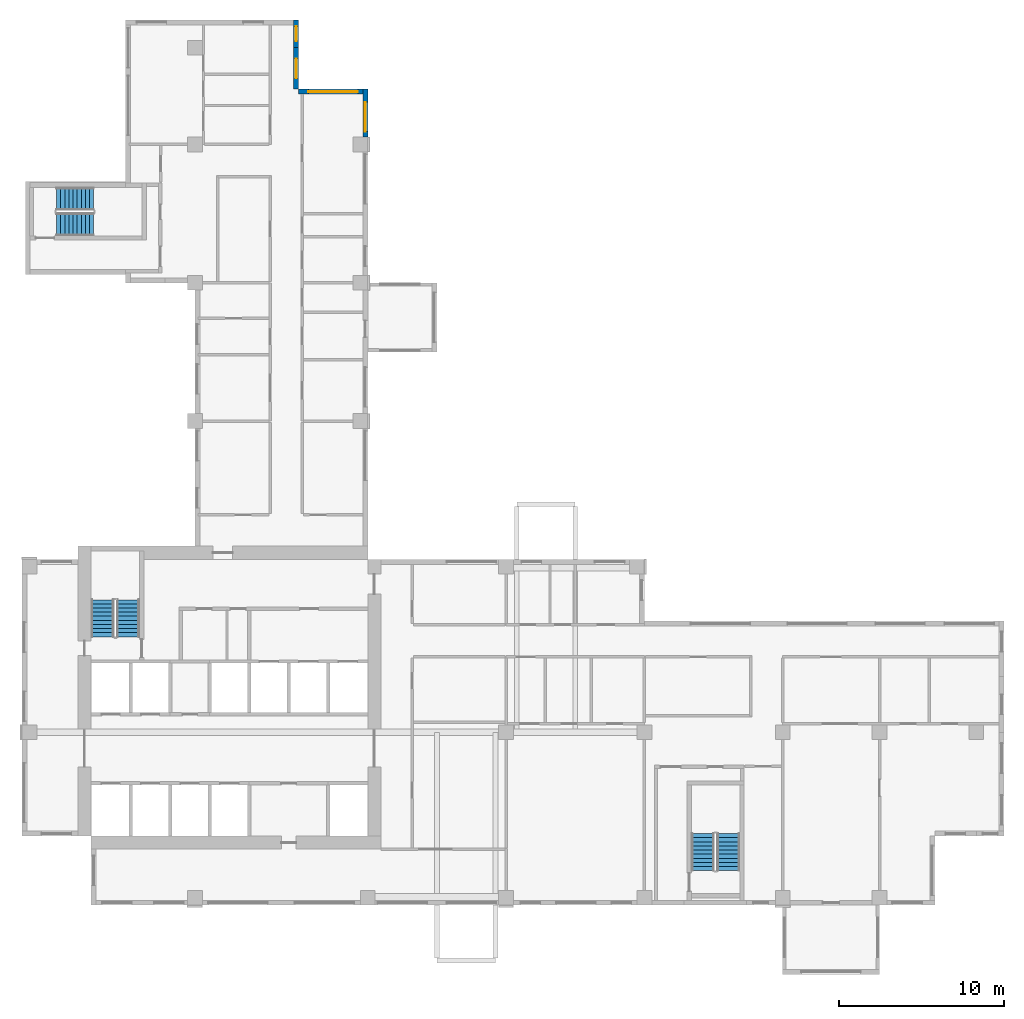
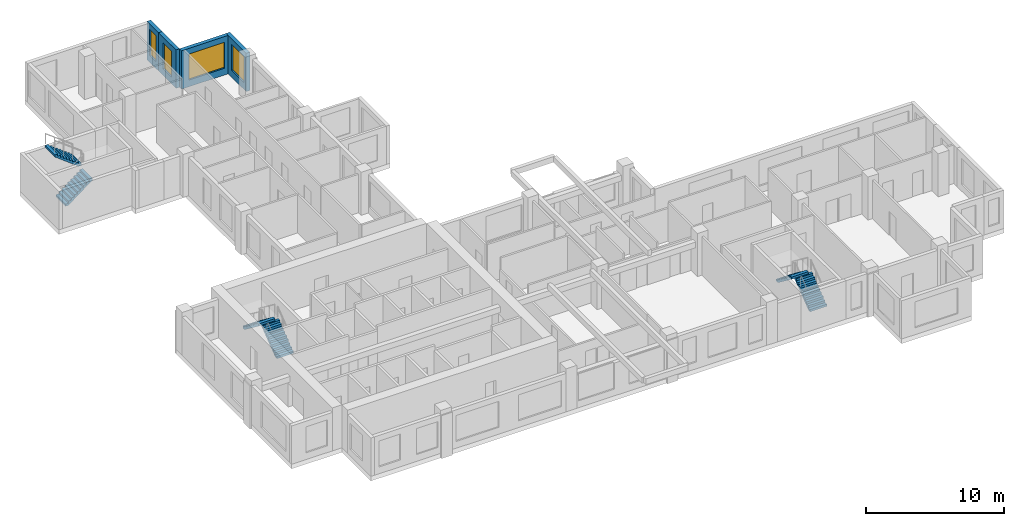
# One storey, part 8 of 12: 6 stair flights, 4 walls, 4 windows, 4 openings, 3 elements without a shape of their own.
"""IFC4 building model written with IfcOpenShell, lengths in metres."""

from ifc_helpers import new_model, si_unit, direction, frame, frame_2d, origin, place, context, subcontext, project, spatial, polyline, rectangle, outline, extrude, source, transform, mapped, material, layer, layer_set, type_object, element, fill, aggregate, save


model = new_model("IFC4")

# Units and contexts
model_context = context("Model", 3, precision=1e-05, world=origin(), true_north=direction((0.0, 1.0)))
body_context = subcontext(model_context, "Body", "Model", "MODEL_VIEW")
ifc_project = project(units=[si_unit("LENGTHUNIT", "METRE"), si_unit("AREAUNIT", "SQUARE_METRE"), si_unit("VOLUMEUNIT", "CUBIC_METRE"), si_unit("PLANEANGLEUNIT", "RADIAN"), si_unit("MASSUNIT", "GRAM", prefix="KILO")], contexts=[model_context])

# Site, building, storey
site_placement = place(None, origin())
site = spatial("IfcSite", under=ifc_project, at=site_placement, CompositionType="ELEMENT")
building_placement = place(site_placement, origin())
building = spatial("IfcBuilding", under=site, at=building_placement, Name="Aurelian Terraces", CompositionType="ELEMENT")
storey_placement = place(building_placement, frame((0.0, 0.0, 189.2)))
storey = spatial("IfcBuildingStorey", under=building, at=storey_placement, Name="L41", CompositionType="ELEMENT", Elevation=189.2)

# Wall, opening, window
ifc_material_1 = material(Name="Terracotta rainscreen cladding", Category="masonry")
ifc_layer = layer(ifc_material_1, 0.3)
ifc_layer_set = layer_set([ifc_layer], Name="EW-300")
wall_type = type_object("IfcWallType", Name="EW-300", PredefinedType="STANDARD", material=ifc_layer_set)
shared_shape_1 = source(origin(), body_context, "Body", "SweptSolid", [
    extrude(rectangle(XDim=2.91, YDim=0.3, at=frame_2d((1.455, 0.0))), origin(), (0.0, 0.0, 1.0), 3.4),
])
wall_1_placement = place(storey_placement, frame((20.85, 46.65, 0.0), z_axis=(0.0, 0.0, 1.0), x_axis=(0.0, 1.0, 0.0)))
wall_1 = element("IfcWall", 1, at=wall_1_placement, inside=storey, type_object=wall_type, Name="External wall L41 F08.21", PredefinedType="STANDARD", context=body_context, shape_type="MappedRepresentation", body=[
    mapped(shared_shape_1, transform((0.0, 0.0, 0.0), scale=1.0)),
])
shared_shape_2 = source(origin(), body_context, "Body", "SweptSolid", [
    extrude(rectangle(XDim=1.8, YDim=2.3, at=frame_2d((0.9, 1.15))), frame((0.0, 0.16, 0.0), z_axis=(0.0, -1.0, 0.0), x_axis=(1.0, 0.0, 0.0)), (0.0, 0.0, 1.0), 0.32),
])
opening_1_placement = place(wall_1_placement, frame((0.33, 0.0, 0.6)))
opening_1 = element("IfcOpeningElement", 2, at=opening_1_placement, cuts=wall_1, Name="Opening W1823", PredefinedType="OPENING", context=body_context, shape_type="MappedRepresentation", body=[
    mapped(shared_shape_2, transform((0.0, 0.0, 0.0), scale=1.0)),
])
ifc_material_2 = material(Name="Clear glazing", Category="glass")
window_type_1 = type_object("IfcWindowType", Name="W-1800x2300", PartitioningType="SINGLE_PANEL", PredefinedType="WINDOW", material=ifc_material_2)
shared_shape_3 = source(origin(), body_context, "Body", "SweptSolid", [
    extrude(rectangle(XDim=1.8, YDim=2.3, at=frame_2d((0.9, 1.15))), frame((0.0, 0.03, 0.0), z_axis=(0.0, -1.0, 0.0), x_axis=(1.0, 0.0, 0.0)), (0.0, 0.0, 1.0), 0.06),
])
window_1_placement = place(opening_1_placement, origin())
window_1 = element("IfcWindow", 3, at=window_1_placement, inside=storey, type_object=window_type_1, Name="Window L41 L41-F08-21-0", OverallHeight=2.3, OverallWidth=1.8, PartitioningType="SINGLE_PANEL", PredefinedType="WINDOW", context=body_context, shape_type="MappedRepresentation", body=[
    mapped(shared_shape_3, transform((0.0, 0.0, 0.0), scale=1.0)),
])
fill(opening_1, window_1)

shared_shape_4 = source(origin(), body_context, "Body", "SweptSolid", [
    extrude(rectangle(XDim=4.2, YDim=0.3, at=frame_2d((2.1, 0.0))), origin(), (0.0, 0.0, 1.0), 3.4),
])
wall_2_placement = place(storey_placement, frame((21.0, 49.41, 0.0), z_axis=(0.0, 0.0, 1.0), x_axis=(-1.0, 0.0, 0.0)))
wall_2 = element("IfcWall", 4, at=wall_2_placement, inside=storey, type_object=wall_type, Name="External wall L41 F09.22", PredefinedType="STANDARD", context=body_context, shape_type="MappedRepresentation", body=[
    mapped(shared_shape_4, transform((0.0, 0.0, 0.0), scale=1.0)),
])
shared_shape_5 = source(origin(), body_context, "Body", "SweptSolid", [
    extrude(rectangle(XDim=3.0, YDim=2.3, at=frame_2d((1.5, 1.15))), frame((0.0, 0.16, 0.0), z_axis=(0.0, -1.0, 0.0), x_axis=(1.0, 0.0, 0.0)), (0.0, 0.0, 1.0), 0.32),
])
opening_2_placement = place(wall_2_placement, frame((0.6, 0.0, 0.6)))
opening_2 = element("IfcOpeningElement", 5, at=opening_2_placement, cuts=wall_2, Name="Opening W3023", PredefinedType="OPENING", context=body_context, shape_type="MappedRepresentation", body=[
    mapped(shared_shape_5, transform((0.0, 0.0, 0.0), scale=1.0)),
])
window_type_2 = type_object("IfcWindowType", Name="W-3000x2300", PartitioningType="SINGLE_PANEL", PredefinedType="WINDOW", material=ifc_material_2)
shared_shape_6 = source(origin(), body_context, "Body", "SweptSolid", [
    extrude(rectangle(XDim=3.0, YDim=2.3, at=frame_2d((1.5, 1.15))), frame((0.0, 0.03, 0.0), z_axis=(0.0, -1.0, 0.0), x_axis=(1.0, 0.0, 0.0)), (0.0, 0.0, 1.0), 0.06),
])
window_2_placement = place(opening_2_placement, origin())
window_2 = element("IfcWindow", 6, at=window_2_placement, inside=storey, type_object=window_type_2, Name="Window L41 L41-F09-22-0", OverallHeight=2.3, OverallWidth=3.0, PartitioningType="SINGLE_PANEL", PredefinedType="WINDOW", context=body_context, shape_type="MappedRepresentation", body=[
    mapped(shared_shape_6, transform((0.0, 0.0, 0.0), scale=1.0)),
])
fill(opening_2, window_2)

shared_shape_7 = source(origin(), body_context, "Body", "SweptSolid", [
    extrude(rectangle(XDim=2.52, YDim=0.3, at=frame_2d((1.26, 0.0))), origin(), (0.0, 0.0, 1.0), 3.4),
])
wall_3_placement = place(storey_placement, frame((16.65, 49.56, 0.0), z_axis=(0.0, 0.0, 1.0), x_axis=(0.0, 1.0, 0.0)))
wall_3 = element("IfcWall", 7, at=wall_3_placement, inside=storey, type_object=wall_type, Name="External wall L41 F10.23", PredefinedType="STANDARD", context=body_context, shape_type="MappedRepresentation", body=[
    mapped(shared_shape_7, transform((0.0, 0.0, 0.0), scale=1.0)),
])
shared_shape_8 = source(origin(), body_context, "Body", "SweptSolid", [
    extrude(rectangle(XDim=1.2, YDim=2.3, at=frame_2d((0.6, 1.15))), frame((0.0, 0.16, 0.0), z_axis=(0.0, -1.0, 0.0), x_axis=(1.0, 0.0, 0.0)), (0.0, 0.0, 1.0), 0.32),
])
opening_3_placement = place(wall_3_placement, frame((0.66, 0.0, 0.6)))
opening_3 = element("IfcOpeningElement", 8, at=opening_3_placement, cuts=wall_3, Name="Opening W1223", PredefinedType="OPENING", context=body_context, shape_type="MappedRepresentation", body=[
    mapped(shared_shape_8, transform((0.0, 0.0, 0.0), scale=1.0)),
])
window_type_3 = type_object("IfcWindowType", Name="W-1200x2300", PartitioningType="SINGLE_PANEL", PredefinedType="WINDOW", material=ifc_material_2)
shared_shape_9 = source(origin(), body_context, "Body", "SweptSolid", [
    extrude(rectangle(XDim=1.2, YDim=2.3, at=frame_2d((0.6, 1.15))), frame((0.0, 0.03, 0.0), z_axis=(0.0, -1.0, 0.0), x_axis=(1.0, 0.0, 0.0)), (0.0, 0.0, 1.0), 0.06),
])
window_3_placement = place(opening_3_placement, origin())
window_3 = element("IfcWindow", 9, at=window_3_placement, inside=storey, type_object=window_type_3, Name="Window L41 L41-F10-23-0", OverallHeight=2.3, OverallWidth=1.2, PartitioningType="SINGLE_PANEL", PredefinedType="WINDOW", context=body_context, shape_type="MappedRepresentation", body=[
    mapped(shared_shape_9, transform((0.0, 0.0, 0.0), scale=1.0)),
])
fill(opening_3, window_3)

shared_shape_10 = source(origin(), body_context, "Body", "SweptSolid", [
    extrude(rectangle(XDim=1.68, YDim=0.3, at=frame_2d((0.84, 0.0))), origin(), (0.0, 0.0, 1.0), 3.4),
])
wall_4_placement = place(storey_placement, frame((16.65, 52.08, 0.0), z_axis=(0.0, 0.0, 1.0), x_axis=(0.0, 1.0, 0.0)))
wall_4 = element("IfcWall", 10, at=wall_4_placement, inside=storey, type_object=wall_type, Name="External wall L41 F10.24", PredefinedType="STANDARD", context=body_context, shape_type="MappedRepresentation", body=[
    mapped(shared_shape_10, transform((0.0, 0.0, 0.0), scale=1.0)),
])
shared_shape_11 = source(origin(), body_context, "Body", "SweptSolid", [
    extrude(rectangle(XDim=0.9, YDim=2.3, at=frame_2d((0.45, 1.15))), frame((0.0, 0.16, 0.0), z_axis=(0.0, -1.0, 0.0), x_axis=(1.0, 0.0, 0.0)), (0.0, 0.0, 1.0), 0.32),
])
opening_4_placement = place(wall_4_placement, frame((0.39, 0.0, 0.6)))
opening_4 = element("IfcOpeningElement", 11, at=opening_4_placement, cuts=wall_4, Name="Opening W0923", PredefinedType="OPENING", context=body_context, shape_type="MappedRepresentation", body=[
    mapped(shared_shape_11, transform((0.0, 0.0, 0.0), scale=1.0)),
])
window_type_4 = type_object("IfcWindowType", Name="W-900x2300", PartitioningType="SINGLE_PANEL", PredefinedType="WINDOW", material=ifc_material_2)
shared_shape_12 = source(origin(), body_context, "Body", "SweptSolid", [
    extrude(rectangle(XDim=0.9, YDim=2.3, at=frame_2d((0.45, 1.15))), frame((0.0, 0.03, 0.0), z_axis=(0.0, -1.0, 0.0), x_axis=(1.0, 0.0, 0.0)), (0.0, 0.0, 1.0), 0.06),
])
window_4_placement = place(opening_4_placement, origin())
window_4 = element("IfcWindow", 12, at=window_4_placement, inside=storey, type_object=window_type_4, Name="Window L41 L41-F10-24-P0", OverallHeight=2.3, OverallWidth=0.9, PartitioningType="SINGLE_PANEL", PredefinedType="WINDOW", context=body_context, shape_type="MappedRepresentation", body=[
    mapped(shared_shape_12, transform((0.0, 0.0, 0.0), scale=1.0)),
])
fill(opening_4, window_4)

# Stair, stair flights
ifc_material_3 = material(Name="Concrete fc' 40 MPa", Category="concrete")
stair_type = type_object("IfcStairType", Name="Stair 1400", PredefinedType="HALF_TURN_STAIR", material=ifc_material_3)
stair_1_placement = place(storey_placement, origin())
stair_1 = element("IfcStair", 13, at=stair_1_placement, inside=storey, type_object=stair_type, Name="L41 S1", PredefinedType="HALF_TURN_STAIR")
stair_flight_type = type_object("IfcStairFlightType", Name="Stair flight 1400", PredefinedType="STRAIGHT", material=ifc_material_3)
shared_shape_13 = source(origin(), body_context, "Body", "SweptSolid", [
    extrude(outline(polyline([(0.0, 0.0), (0.0, 0.19), (0.25, 0.19), (0.25, 0.38), (0.5, 0.38), (0.5, 0.57), (0.75, 0.57), (0.75, 0.76), (1.0, 0.76), (1.0, 0.95), (1.25, 0.95), (1.25, 1.14), (1.5, 1.14), (1.5, 1.33), (1.75, 1.33), (1.75, 1.52), (2.0, 1.52), (2.0, 1.71), (2.25, 1.71), (2.25, 1.9), (2.25, 1.5216), (0.2479, 0.0), (0.0, 0.0)])), frame((0.0, 0.7, 0.0), z_axis=(0.0, -1.0, 0.0), x_axis=(1.0, 0.0, 0.0)), (0.0, 0.0, 1.0), 1.4),
])
stair_flight_1_placement = place(storey_placement, frame((6.45, 16.3, 2e-08), z_axis=(0.0, 0.0, 1.0), x_axis=(0.0, 1.0, 0.0)))
stair_flight_1 = element("IfcStairFlight", 14, at=stair_flight_1_placement, type_object=stair_flight_type, Name="S1 flight 1", NumberOfRisers=10, NumberOfTreads=9, PredefinedType="STRAIGHT", RiserHeight=0.19, TreadLength=0.25, context=body_context, shape_type="MappedRepresentation", body=[
    mapped(shared_shape_13, transform((0.0, 0.0, 0.0), scale=1.0)),
])
stair_flight_2_placement = place(storey_placement, frame((4.9, 18.55, 1.9000000200000058), z_axis=(0.0, 0.0, 1.0), x_axis=(0.0, -1.0, 0.0)))
stair_flight_2 = element("IfcStairFlight", 15, at=stair_flight_2_placement, type_object=stair_flight_type, Name="S1 flight 2", NumberOfRisers=10, NumberOfTreads=9, PredefinedType="STRAIGHT", RiserHeight=0.19, TreadLength=0.25, context=body_context, shape_type="MappedRepresentation", body=[
    mapped(shared_shape_13, transform((0.0, 0.0, 0.0), scale=1.0)),
])
aggregate(stair_1, [stair_flight_1, stair_flight_2])

stair_2_placement = place(storey_placement, origin())
stair_2 = element("IfcStair", 16, at=stair_2_placement, inside=storey, type_object=stair_type, Name="L41 S2", PredefinedType="HALF_TURN_STAIR")
stair_flight_3_placement = place(storey_placement, frame((42.9, 2.1, 2e-08), z_axis=(0.0, 0.0, 1.0), x_axis=(0.0, 1.0, 0.0)))
stair_flight_3 = element("IfcStairFlight", 17, at=stair_flight_3_placement, type_object=stair_flight_type, Name="S2 flight 1", NumberOfRisers=10, NumberOfTreads=9, PredefinedType="STRAIGHT", RiserHeight=0.19, TreadLength=0.25, context=body_context, shape_type="MappedRepresentation", body=[
    mapped(shared_shape_13, transform((0.0, 0.0, 0.0), scale=1.0)),
])
stair_flight_4_placement = place(storey_placement, frame((41.35, 4.35, 1.9000000200000058), z_axis=(0.0, 0.0, 1.0), x_axis=(0.0, -1.0, 0.0)))
stair_flight_4 = element("IfcStairFlight", 18, at=stair_flight_4_placement, type_object=stair_flight_type, Name="S2 flight 2", NumberOfRisers=10, NumberOfTreads=9, PredefinedType="STRAIGHT", RiserHeight=0.19, TreadLength=0.25, context=body_context, shape_type="MappedRepresentation", body=[
    mapped(shared_shape_13, transform((0.0, 0.0, 0.0), scale=1.0)),
])
aggregate(stair_2, [stair_flight_3, stair_flight_4])

stair_3_placement = place(storey_placement, origin())
stair_3 = element("IfcStair", 19, at=stair_3_placement, inside=storey, type_object=stair_type, Name="L41 S3", PredefinedType="HALF_TURN_STAIR")
stair_flight_5_placement = place(storey_placement, frame((2.1, 41.35, 2e-08), z_axis=(0.0, 0.0, 1.0), x_axis=(1.0, 0.0, 0.0)))
stair_flight_5 = element("IfcStairFlight", 20, at=stair_flight_5_placement, type_object=stair_flight_type, Name="S3 flight 1", NumberOfRisers=10, NumberOfTreads=9, PredefinedType="STRAIGHT", RiserHeight=0.19, TreadLength=0.25, context=body_context, shape_type="MappedRepresentation", body=[
    mapped(shared_shape_13, transform((0.0, 0.0, 0.0), scale=1.0)),
])
stair_flight_6_placement = place(storey_placement, frame((4.35, 42.9, 1.9000000200000058), z_axis=(0.0, 0.0, 1.0), x_axis=(-1.0, 0.0, 0.0)))
stair_flight_6 = element("IfcStairFlight", 21, at=stair_flight_6_placement, type_object=stair_flight_type, Name="S3 flight 2", NumberOfRisers=10, NumberOfTreads=9, PredefinedType="STRAIGHT", RiserHeight=0.19, TreadLength=0.25, context=body_context, shape_type="MappedRepresentation", body=[
    mapped(shared_shape_13, transform((0.0, 0.0, 0.0), scale=1.0)),
])
aggregate(stair_3, [stair_flight_5, stair_flight_6])

save(model, "model.ifc")
